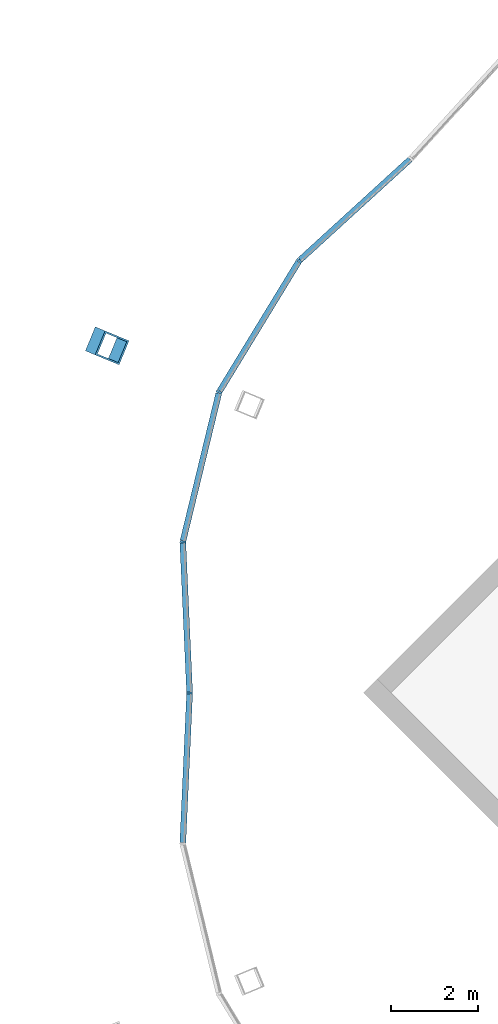
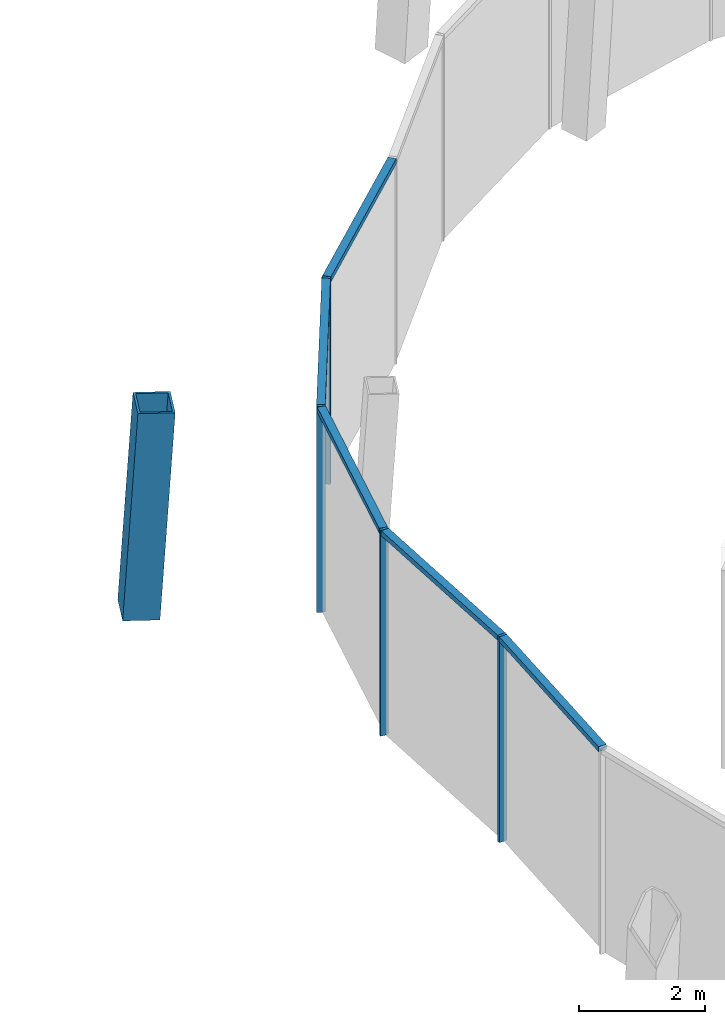
# One storey, part 8 of 14: 10 members, 2 elements without a shape of their own.
"""IFC4 building model written with IfcOpenShell, lengths in metres."""

import ifcopenshell
import ifcopenshell.guid

model = None  # the IFC model being written
_history = None  # IfcOwnerHistory: only IFC2X3 demands one
_inside = {}  # id of a spatial element -> (the spatial element, [elements in it])
_under = {}  # id of a project, library or spatial element -> (it, [spatial elements below it])
_declared = {}  # id of a project -> (the project, [libraries it declares])
_typed = {}  # id of a type object -> (the type object, [elements of that type])
_made_of = {}  # id of a material, layer set ... -> (it, [elements and type objects made of it])


def new_model(schema):
    """Start an empty IFC model of exactly this schema.

    Asked for "IFC4X3", IfcOpenShell would pick the latest addendum, in which some entities
    have other attributes; the version numbers below select the first issue.
    IFC2X3 requires an IfcOwnerHistory on every rooted entity: one is made here for all.
    """
    global model, _history
    if schema == "IFC4X3":
        model = ifcopenshell.file(schema_version=(4, 3, 0, 0))
    else:
        model = ifcopenshell.file(schema=schema)
    _inside.clear()
    _under.clear()
    _declared.clear()
    _typed.clear()
    _made_of.clear()
    _history = None
    if model.schema == "IFC2X3":
        org = make("IfcOrganization", Name="unknown")
        user = make(
            "IfcPersonAndOrganization",
            ThePerson=make("IfcPerson", FamilyName="unknown"),
            TheOrganization=org,
        )
        app = make(
            "IfcApplication",
            ApplicationDeveloper=org,
            Version="unknown",
            ApplicationFullName="unknown",
            ApplicationIdentifier="unknown",
        )
        _history = make(
            "IfcOwnerHistory",
            OwningUser=user,
            OwningApplication=app,
            ChangeAction="ADDED",
            CreationDate=0,
        )
    return model


def make(cls, **values):
    """One entity of the class cls with the attributes given. An attribute that is None is left unset."""
    return model.create_entity(
        cls, **{name: value for name, value in values.items() if value is not None}
    )


def rooted(cls, **values):
    """An entity with a GlobalId (a new one), such as an element, a storey or a relation."""
    return make(cls, GlobalId=ifcopenshell.guid.new(), OwnerHistory=_history, **values)


def si_unit(unit_type, name, prefix=None):
    """IfcSIUnit, for example si_unit("LENGTHUNIT", "METRE", prefix="MILLI")."""
    return make("IfcSIUnit", UnitType=unit_type, Prefix=prefix, Name=name)


def assignment(units):
    """IfcUnitAssignment: the units of a project."""
    return None if units is None else make("IfcUnitAssignment", Units=units)


def point(xyz):
    """IfcCartesianPoint."""
    return None if xyz is None else make("IfcCartesianPoint", Coordinates=xyz)


def direction(xyz):
    """IfcDirection."""
    return None if xyz is None else make("IfcDirection", DirectionRatios=xyz)


def frame(location, z_axis=None, x_axis=None):
    """IfcAxis2Placement3D, a coordinate frame: its origin and axes. An axis left out is left unset."""
    return make(
        "IfcAxis2Placement3D",
        Location=point(location),
        Axis=direction(z_axis),
        RefDirection=direction(x_axis),
    )


def frame_2d(location, x_axis=None):
    """IfcAxis2Placement2D, a coordinate frame in the plane: its origin and x axis."""
    return make(
        "IfcAxis2Placement2D", Location=point(location), RefDirection=direction(x_axis)
    )


def origin():
    """The frame at (0, 0, 0) with its axes left unset."""
    return frame((0.0, 0.0, 0.0))


def origin_2d():
    """The frame at (0, 0) in the plane with its x axis left unset."""
    return frame_2d((0.0, 0.0))


def place(relative_to, where):
    """IfcLocalPlacement: puts the frame where relative to a parent placement (None: the world)."""
    return make(
        "IfcLocalPlacement", PlacementRelTo=relative_to, RelativePlacement=where
    )


def context(
    kind, dimensions, precision=None, world=None, true_north=None, identifier=None
):
    """IfcGeometricRepresentationContext, for example the 3D "Model" context."""
    return make(
        "IfcGeometricRepresentationContext",
        ContextIdentifier=identifier,
        ContextType=kind,
        CoordinateSpaceDimension=dimensions,
        Precision=precision,
        WorldCoordinateSystem=world,
        TrueNorth=true_north,
    )


def subcontext(parent, identifier, kind, view, scale=None):
    """IfcGeometricRepresentationSubContext, for example "Body" below "Model"."""
    return make(
        "IfcGeometricRepresentationSubContext",
        ContextIdentifier=identifier,
        ContextType=kind,
        ParentContext=parent,
        TargetScale=scale,
        TargetView=view,
    )


def project(units=None, contexts=None):
    """IfcProject with its units and contexts."""
    return rooted(
        "IfcProject",
        Name="project",
        RepresentationContexts=contexts,
        UnitsInContext=assignment(units),
    )


def spatial(cls, under=None, at=None, **own):
    """A site, building, storey or space (cls), placed at a placement, below another one or the project."""
    s = rooted(cls, ObjectPlacement=at, **own)
    if under is not None:
        _under.setdefault(under.id(), (under, []))[1].append(s)
    return s


def profile(cls, at=None, kind="AREA", **sizes):
    """A parametric profile (cls). Its sizes go by their IFC names, for example OverallWidth=200.0."""
    return make(cls, ProfileType=kind, Position=at, **sizes)


def rectangle(**sizes):
    """IfcRectangleProfileDef."""
    return profile("IfcRectangleProfileDef", **sizes)


def hollow_rectangle(**sizes):
    """IfcRectangleHollowProfileDef."""
    return profile("IfcRectangleHollowProfileDef", **sizes)


def extrude(swept, where, along, depth):
    """IfcExtrudedAreaSolid: the profile swept, set in the frame where, extruded along a direction by depth."""
    return make(
        "IfcExtrudedAreaSolid",
        SweptArea=swept,
        Position=where,
        ExtrudedDirection=direction(along),
        Depth=depth,
    )


def shape(context_of_items, identifier, shape_type, items):
    """IfcShapeRepresentation: the items that make up one representation, for example the "Body"."""
    return make(
        "IfcShapeRepresentation",
        ContextOfItems=context_of_items,
        RepresentationIdentifier=identifier,
        RepresentationType=shape_type,
        Items=items,
    )


def material(Name=None, Category=None):
    """IfcMaterial."""
    return make("IfcMaterial", Name=Name, Category=Category)


def material_profile(
    of_material, cross_section, Name=None, Category=None, Priority=None
):
    """IfcMaterialProfile: a cross section and its material."""
    return make(
        "IfcMaterialProfile",
        Name=Name,
        Material=of_material,
        Profile=cross_section,
        Priority=Priority,
        Category=Category,
    )


def profile_set(profiles, Name=None, composite=None):
    """IfcMaterialProfileSet."""
    return make(
        "IfcMaterialProfileSet",
        Name=Name,
        MaterialProfiles=profiles,
        CompositeProfile=composite,
    )


def made_of(thing, what):
    """Note that an element or type object is made of a material, layer set ...; save() writes the relation."""
    if what is not None:
        _made_of.setdefault(what.id(), (what, []))[1].append(thing)
    return thing


def type_object(cls, material=None, **own):
    """A type object (cls), such as IfcWallType, which elements share."""
    return made_of(rooted(cls, **own), material)


def element(
    cls,
    number,
    at=None,
    inside=None,
    cuts=None,
    type_object=None,
    material=None,
    context=None,
    identifier="Body",
    shape_type=None,
    held_by="IfcProductDefinitionShape",
    body=None,
    shapes=None,
    **own,
):
    """One element of the class cls, such as IfcWall. Its Tag is "e" and its number.

    at: its placement. inside: the storey or other place that contains it. cuts: it is an
    opening in that element (IfcRelVoidsElement). A single representation is given by context,
    identifier, shape_type and body (its items); several are given by shapes. held_by: the class
    of the entity that holds the representations. save() writes the other relations.
    """
    e = rooted(cls, Tag="e%d" % number, ObjectPlacement=at, **own)
    if body is not None:
        shapes = [shape(context, identifier, shape_type, body)]
    if shapes is not None:
        e.Representation = make(held_by, Representations=shapes)
    if inside is not None:
        _inside.setdefault(inside.id(), (inside, []))[1].append(e)
    if cuts is not None:
        rooted(
            "IfcRelVoidsElement", RelatingBuildingElement=cuts, RelatedOpeningElement=e
        )
    if type_object is not None:
        _typed.setdefault(type_object.id(), (type_object, []))[1].append(e)
    return made_of(e, material)


def aggregate(whole, parts):
    """IfcRelAggregates: a whole, such as a stair, and the parts it consists of."""
    return rooted("IfcRelAggregates", RelatingObject=whole, RelatedObjects=parts)


def save(model, path):
    """Write the relations noted so far, then the file.

    IfcRelAggregates (storeys below a building ...), IfcRelContainedInSpatialStructure (elements
    in a storey), IfcRelDefinesByType, IfcRelAssociatesMaterial and IfcRelDeclares: one each for
    every whole, place, type object, material and project.
    """
    for whole, parts in _under.values():
        aggregate(whole, parts)
    for where, things in _inside.values():
        rooted(
            "IfcRelContainedInSpatialStructure",
            RelatedElements=things,
            RelatingStructure=where,
        )
    for kind, things in _typed.values():
        rooted("IfcRelDefinesByType", RelatedObjects=things, RelatingType=kind)
    for what, things in _made_of.values():
        rooted("IfcRelAssociatesMaterial", RelatedObjects=things, RelatingMaterial=what)
    for by, libraries in _declared.values():
        rooted("IfcRelDeclares", RelatingContext=by, RelatedDefinitions=libraries)
    model.write(path)


model = new_model("IFC4")

# Units and contexts
model_context = context("Model", 3, precision=1e-05, world=origin(), true_north=direction((0.0, 1.0)))
body_context = subcontext(model_context, "Body", "Model", "MODEL_VIEW")
ifc_project = project(units=[si_unit("LENGTHUNIT", "METRE"), si_unit("AREAUNIT", "SQUARE_METRE"), si_unit("VOLUMEUNIT", "CUBIC_METRE"), si_unit("PLANEANGLEUNIT", "RADIAN"), si_unit("MASSUNIT", "GRAM", prefix="KILO")], contexts=[model_context])

# Site, building, storey
site_placement = place(None, origin())
site = spatial("IfcSite", under=ifc_project, at=site_placement, CompositionType="ELEMENT")
building_placement = place(site_placement, origin())
building = spatial("IfcBuilding", under=site, at=building_placement, Name="Ogive Gate Towers", CompositionType="ELEMENT")
storey_placement = place(building_placement, frame((0.0, 0.0, 306.0)))
storey = spatial("IfcBuildingStorey", under=building, at=storey_placement, Name="L72", CompositionType="ELEMENT", Elevation=306.0)

# Curtain wall, members
ifc_material_1 = material(Name="Pale metal aluminium", Category="aluminium")
curtain_wall_type = type_object("IfcCurtainWallType", Name="Crown lean wall", PredefinedType="NOTDEFINED", material=ifc_material_1)
curtain_wall_1_placement = place(storey_placement, origin())
curtain_wall_1 = element("IfcCurtainWall", 1, at=curtain_wall_1_placement, inside=storey, type_object=curtain_wall_type, Name="CW5 T2 ECW04", PredefinedType="NOTDEFINED")
ifc_material_profile_1 = material_profile(ifc_material_1, rectangle(XDim=0.139892578125, YDim=0.050048828125, at=origin_2d()), Name="50 x 140 aluminium box")
ifc_profile_set_1 = profile_set([ifc_material_profile_1], Name="Pale metal aluminium")
member_type_1 = type_object("IfcMemberType", Name="Crown lean wall mullion 50 x 140", PredefinedType="MULLION", material=ifc_profile_set_1)
member_1_placement = place(storey_placement, frame((18.5498046875, -0.00146484375, -0.300048828125), z_axis=(0.0, 0.0, 1.0), x_axis=(0.998974524654, 0.045275811329, 0.0)))
member_1 = element("IfcMember", 2, at=member_1_placement, type_object=member_type_1, Name="CW5 mullion", PredefinedType="MULLION", context=body_context, shape_type="SweptSolid", body=[
    extrude(rectangle(XDim=0.139892578125, YDim=0.050048828125, at=origin_2d()), origin(), (0.0, 0.0, 1.0), 4.0),
])
member_2_placement = place(storey_placement, frame((18.39208984375, 3.489013671875, -0.300048828125), z_axis=(0.0, 0.0, 1.0), x_axis=(0.995366038416, -0.096158460724, 0.0)))
member_2 = element("IfcMember", 3, at=member_2_placement, type_object=member_type_1, Name="CW5 mullion", PredefinedType="MULLION", context=body_context, shape_type="SweptSolid", body=[
    extrude(rectangle(XDim=0.139892578125, YDim=0.050048828125, at=origin_2d()), origin(), (0.0, 0.0, 1.0), 4.0),
])
member_3_placement = place(storey_placement, frame((19.23046875, 6.9462890625, -0.300048828125), z_axis=(0.0, 0.0, 1.0), x_axis=(0.923886211456, -0.382667307567, 0.0)))
member_3 = element("IfcMember", 4, at=member_3_placement, type_object=member_type_1, Name="CW5 mullion", PredefinedType="MULLION", context=body_context, shape_type="SweptSolid", body=[
    extrude(rectangle(XDim=0.139892578125, YDim=0.050048828125, at=origin_2d()), origin(), (0.0, 0.0, 1.0), 4.0),
])
member_4_placement = place(storey_placement, frame((21.08203125, 9.983642578125, -0.300048828125), z_axis=(0.0, 0.0, 1.0), x_axis=(0.771835472483, -0.635822304907, 0.0)))
member_4 = element("IfcMember", 5, at=member_4_placement, type_object=member_type_1, Name="CW5 mullion", PredefinedType="MULLION", context=body_context, shape_type="SweptSolid", body=[
    extrude(rectangle(XDim=0.139892578125, YDim=0.050048828125, at=origin_2d()), origin(), (0.0, 0.0, 1.0), 4.0),
])
ifc_material_profile_2 = material_profile(ifc_material_1, rectangle(XDim=0.139892578125, YDim=0.10009765625, at=origin_2d()), Name="100 x 140 aluminium box")
ifc_profile_set_2 = profile_set([ifc_material_profile_2], Name="Pale metal aluminium")
member_type_2 = type_object("IfcMemberType", Name="Crown lean wall transom 100 x 140", PredefinedType="USERDEFINED", material=ifc_profile_set_2)
member_5_placement = place(storey_placement, frame((18.548828125, 0.023681640625, 3.64990234375), z_axis=(-0.045282100523, 0.998974239594, 0.0), x_axis=(-0.998974239594, -0.045282100523, 0.0)))
member_5 = element("IfcMember", 6, at=member_5_placement, type_object=member_type_2, Name="CW5 transom", ObjectType="TRANSOM", PredefinedType="USERDEFINED", context=body_context, shape_type="SweptSolid", body=[
    extrude(rectangle(XDim=0.139892578125, YDim=0.10009765625, at=origin_2d()), origin(), (0.0, 0.0, 1.0), 3.439697265625),
])
member_6_placement = place(storey_placement, frame((18.398681640625, 3.517578125, 3.64990234375), z_axis=(0.235665937055, 0.971834124793, 0.0), x_axis=(-0.971834124793, 0.235665937055, 0.0)))
member_6 = element("IfcMember", 7, at=member_6_placement, type_object=member_type_2, Name="CW5 transom", ObjectType="TRANSOM", PredefinedType="USERDEFINED", context=body_context, shape_type="SweptSolid", body=[
    extrude(rectangle(XDim=0.139892578125, YDim=0.10009765625, at=origin_2d()), origin(), (0.0, 0.0, 1.0), 3.49853515625),
])
member_7_placement = place(storey_placement, frame((19.24560546875, 6.9716796875, 3.64990234375), z_axis=(0.520537938613, 0.853838541215, 0.0), x_axis=(-0.853838541215, 0.520537938613, 0.0)))
member_7 = element("IfcMember", 8, at=member_7_placement, type_object=member_type_2, Name="CW5 transom", ObjectType="TRANSOM", PredefinedType="USERDEFINED", context=body_context, shape_type="SweptSolid", body=[
    extrude(rectangle(XDim=0.139892578125, YDim=0.10009765625, at=origin_2d()), origin(), (0.0, 0.0, 1.0), 3.498291015625),
])
member_8_placement = place(storey_placement, frame((21.103515625, 10.00341796875, 3.64990234375), z_axis=(0.738357944361, 0.674409034636, 0.0), x_axis=(-0.674409034636, 0.738357944361, 0.0)))
member_8 = element("IfcMember", 9, at=member_8_placement, type_object=member_type_2, Name="CW5 transom", ObjectType="TRANSOM", PredefinedType="USERDEFINED", context=body_context, shape_type="SweptSolid", body=[
    extrude(rectangle(XDim=0.139892578125, YDim=0.10009765625, at=origin_2d()), origin(), (0.0, 0.0, 1.0), 3.439697265625),
])
aggregate(curtain_wall_1, [member_1, member_2, member_5, member_3, member_6, member_4, member_7, member_8])

# Curtain wall, member
curtain_wall_2_placement = place(storey_placement, origin())
curtain_wall_2 = element("IfcCurtainWall", 10, at=curtain_wall_2_placement, inside=storey, type_object=curtain_wall_type, Name="CW5 T2 ECW05", PredefinedType="NOTDEFINED")
member_9_placement = place(storey_placement, frame((18.39306640625, -3.4599609375, 3.64990234375), z_axis=(0.045282100523, 0.998974239594, 0.0), x_axis=(-0.998974239594, 0.045282100523, 0.0)))
member_9 = element("IfcMember", 11, at=member_9_placement, type_object=member_type_2, Name="CW5 transom", ObjectType="TRANSOM", PredefinedType="USERDEFINED", context=body_context, shape_type="SweptSolid", body=[
    extrude(rectangle(XDim=0.139892578125, YDim=0.10009765625, at=origin_2d()), origin(), (0.0, 0.0, 1.0), 3.439697265625),
])
aggregate(curtain_wall_2, [member_9])

# Member
ifc_material_2 = material(Name="Steel SM460", Category="steel")
ifc_material_profile_3 = material_profile(ifc_material_2, hollow_rectangle(XDim=0.60009765625, YDim=0.60009765625, WallThickness=0.0400390625, at=origin_2d()), Name="BX 600x600x40")
ifc_profile_set_3 = profile_set([ifc_material_profile_3], Name="Steel SM460")
member_type_3 = type_object("IfcMemberType", Name="Crown rib BX 600x600x40", PredefinedType="MEMBER", material=ifc_profile_set_3)
member_10_placement = place(storey_placement, frame((16.532958984375, 8.0634765625, 0.0), z_axis=(0.056352410126, -0.023332943868, 0.998138256758), x_axis=(0.382557636574, 0.923931628801, 0.0)))
element("IfcMember", 12, at=member_10_placement, inside=storey, type_object=member_type_3, Name="T2/L72/STR003", PredefinedType="MEMBER", context=body_context, shape_type="SweptSolid", body=[
    extrude(hollow_rectangle(XDim=0.60009765625, YDim=0.60009765625, WallThickness=0.0400390625, at=origin_2d()), origin(), (0.0, 0.0, 1.0), 4.007568359375),
])

save(model, "model.ifc")
